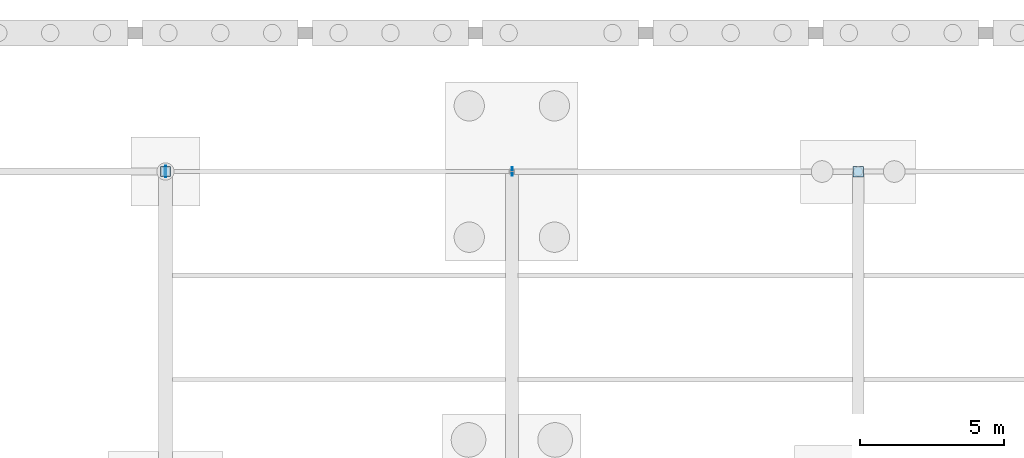
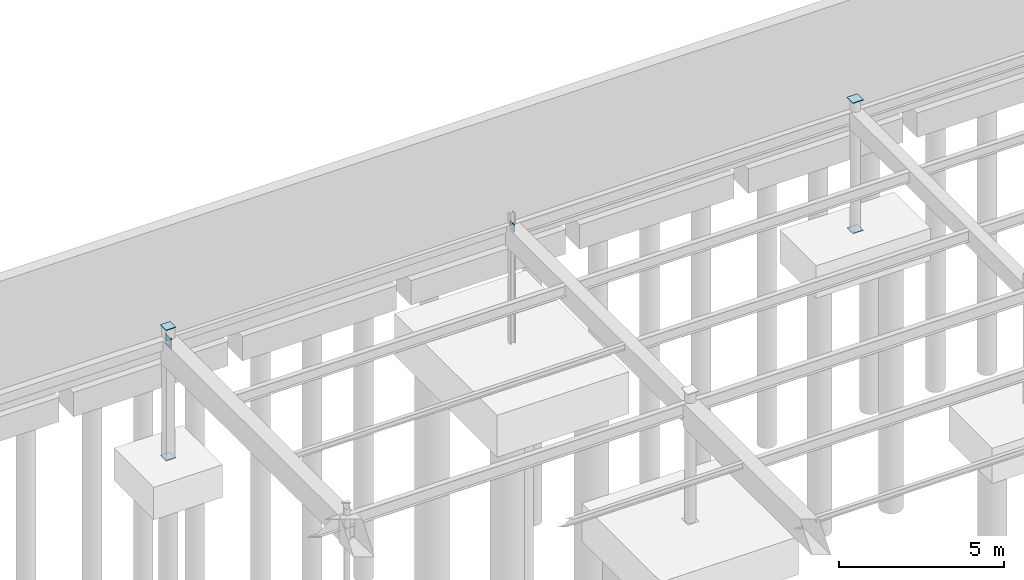
# One storey, part 116 of 136: 7 plates.
"""IFC4 building model written with IfcOpenShell, lengths in metres."""

from ifc_helpers import new_model, si_unit, direction, frame, origin, origin_2d, place, context, subcontext, project, spatial, rectangle, extrude, material, layer, layer_set, type_object, element, save


model = new_model("IFC4")

# Units and contexts
model_context = context("Model", 3, precision=1e-05, world=origin(), true_north=direction((0.0, 1.0)))
body_context = subcontext(model_context, "Body", "Model", "MODEL_VIEW")
ifc_project = project(units=[si_unit("LENGTHUNIT", "METRE"), si_unit("AREAUNIT", "SQUARE_METRE"), si_unit("VOLUMEUNIT", "CUBIC_METRE"), si_unit("PLANEANGLEUNIT", "RADIAN"), si_unit("MASSUNIT", "GRAM", prefix="KILO")], contexts=[model_context])

# Site, building, storey
site_placement = place(None, origin())
site = spatial("IfcSite", under=ifc_project, at=site_placement, CompositionType="ELEMENT")
building_placement = place(site_placement, origin())
building = spatial("IfcBuilding", under=site, at=building_placement, Name="Tarnwether General Hospital", CompositionType="ELEMENT")
storey_placement = place(building_placement, frame((0.0, 0.0, -4.800048828125)))
storey = spatial("IfcBuildingStorey", under=building, at=storey_placement, Name="LG", CompositionType="ELEMENT", Elevation=-4.800048828125)

# Plates
ifc_material = material(Name="Steel Grade 350 (350 MPa)", Category="steel")
ifc_layer = layer(ifc_material, 0.02490234375)
ifc_layer_set = layer_set([ifc_layer], Name="Steel Grade 350 (350 MPa)")
plate_type = type_object("IfcPlateType", Name="PT-GUS2", PredefinedType="USERDEFINED", material=ifc_layer_set)
for number, where, z_axis, x_axis, name in (
    (1, (144.0, 126.0, -0.02490234375), (0.0, 0.0, 1.0), (1.0, 0.0, 0.0), "Hollow Section Welded End Cap Plate 0307"),
    (2, (144.0, 126.0, 4.800048828125), (0.0, 0.0, 1.0), (1.0, 0.0, 0.0), "Hollow Section Welded End Cap Plate 0308"),
):
    element("IfcPlate", number, at=place(storey_placement, frame(where, z_axis=z_axis, x_axis=x_axis)), inside=storey, type_object=plate_type, Name=name, ObjectType="GUSSET", PredefinedType="USERDEFINED", context=body_context, shape_type="SweptSolid", body=[
        extrude(rectangle(XDim=0.340087890625, YDim=0.340087890625, at=origin_2d()), origin(), (0.0, 0.0, 1.0), 0.02490234375),
    ])
for number, where, z_axis, x_axis, name in (
    (3, (168.0, 126.0, -0.02490234375), (0.0, 0.0, 1.0), (1.0, 0.0, 0.0), "Hollow Section Welded End Cap Plate 0373"),
    (4, (168.0, 126.0, 4.800048828125), (0.0, 0.0, 1.0), (1.0, 0.0, 0.0), "Hollow Section Welded End Cap Plate 0374"),
):
    element("IfcPlate", number, at=place(storey_placement, frame(where, z_axis=z_axis, x_axis=x_axis)), inside=storey, type_object=plate_type, Name=name, ObjectType="GUSSET", PredefinedType="USERDEFINED", context=body_context, shape_type="SweptSolid", body=[
        extrude(rectangle(XDim=0.364013671875, YDim=0.364013671875, at=origin_2d()), origin(), (0.0, 0.0, 1.0), 0.02490234375),
    ])
plate_placement = place(storey_placement, frame((144.012451171875, 126.0, 4.05029296875), z_axis=(0.0, 0.0, 1.0), x_axis=(1.0, 0.0, 0.0)))
element("IfcPlate", 5, at=plate_placement, inside=storey, type_object=plate_type, Name="Hollow Section Welded End Cap Plate 0838", ObjectType="GUSSET", PredefinedType="USERDEFINED", context=body_context, shape_type="SweptSolid", body=[
    extrude(rectangle(XDim=0.02490234375, YDim=0.389892578125, at=origin_2d()), origin(), (0.0, 0.0, 1.0), 0.389892578125),
])
for number, where, z_axis, x_axis, name in (
    (6, (143.987548828125, 126.0, 4.150146484375), (0.0, 0.0, 1.0), (1.0, 0.0, 0.0), "Hollow Section Welded End Cap Plate 0839"),
    (7, (156.012451171875, 126.0, 4.150146484375), (0.0, 0.0, 1.0), (1.0, 0.0, 0.0), "Hollow Section Welded End Cap Plate 0840"),
):
    element("IfcPlate", number, at=place(storey_placement, frame(where, z_axis=z_axis, x_axis=x_axis)), inside=storey, type_object=plate_type, Name=name, ObjectType="GUSSET", PredefinedType="USERDEFINED", context=body_context, shape_type="SweptSolid", body=[
        extrude(rectangle(XDim=0.02490234375, YDim=0.2900390625, at=origin_2d()), origin(), (0.0, 0.0, 1.0), 0.2900390625),
    ])

save(model, "model.ifc")
